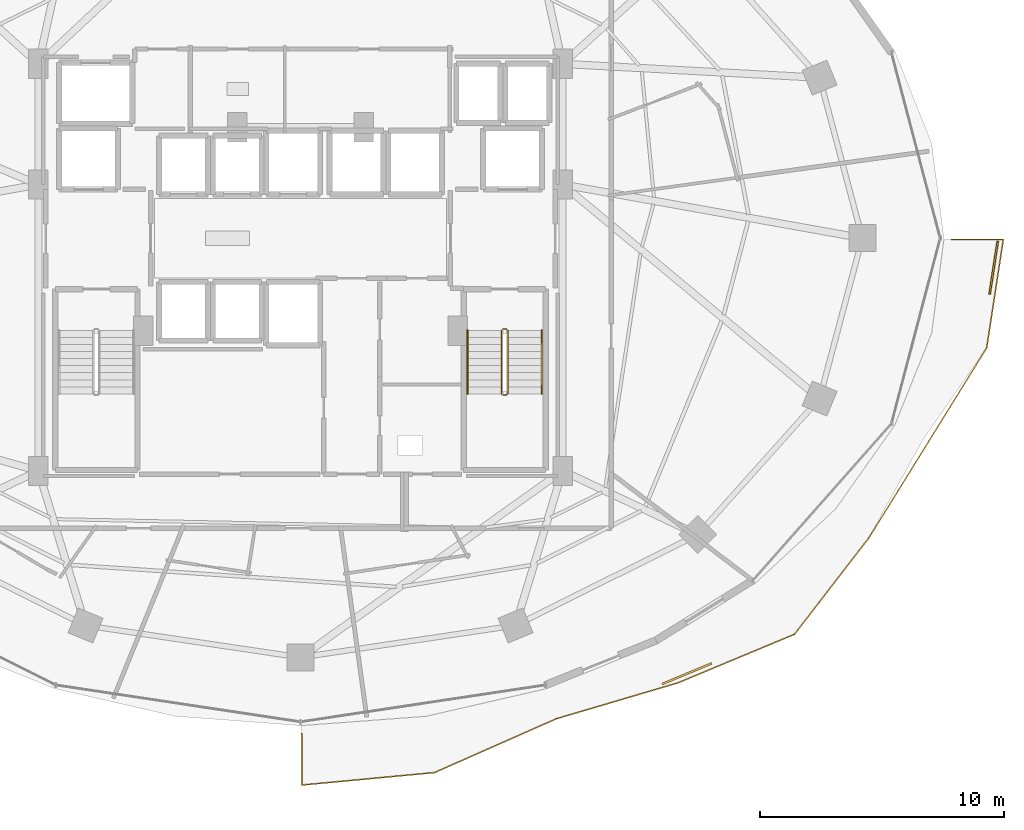
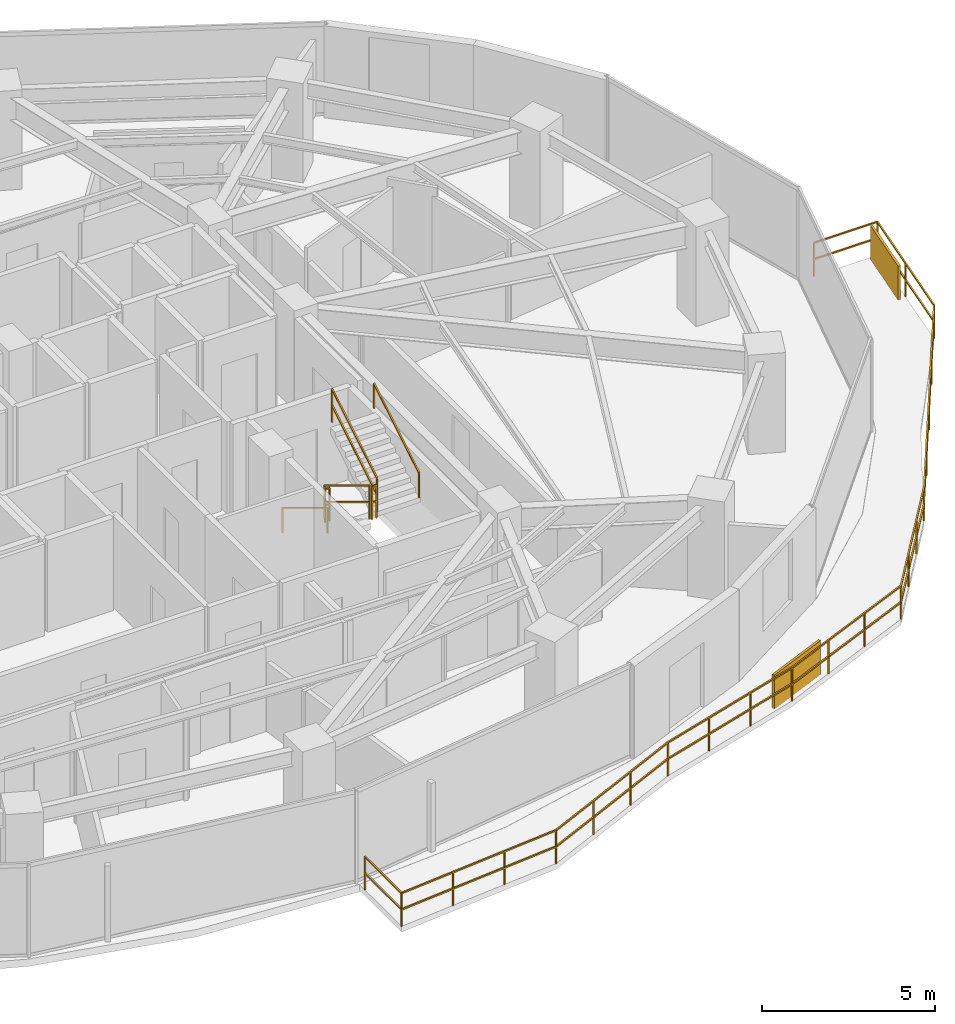
# One storey, part 28 of 30: 8 railings, 2 shading devices.
"""IFC4 building model written with IfcOpenShell, lengths in metres."""

from ifc_helpers import new_model, si_unit, direction, frame, origin, origin_2d, place, context, subcontext, project, spatial, rectangle, extrude, material, type_object, element, save


model = new_model("IFC4")

# Units and contexts
model_context = context("Model", 3, precision=1e-05, world=origin(), true_north=direction((0.0, 1.0)))
body_context = subcontext(model_context, "Body", "Model", "MODEL_VIEW")
ifc_project = project(units=[si_unit("LENGTHUNIT", "METRE"), si_unit("AREAUNIT", "SQUARE_METRE"), si_unit("VOLUMEUNIT", "CUBIC_METRE"), si_unit("PLANEANGLEUNIT", "RADIAN"), si_unit("MASSUNIT", "GRAM", prefix="KILO")], contexts=[model_context])

# Site, building, storey
site_placement = place(None, origin())
site = spatial("IfcSite", under=ifc_project, at=site_placement, CompositionType="ELEMENT")
building_placement = place(site_placement, origin())
building = spatial("IfcBuilding", under=site, at=building_placement, Name="Vorneva Point Tower", CompositionType="ELEMENT")
storey_placement = place(building_placement, frame((0.0, 0.0, 96.300048828125)))
storey = spatial("IfcBuildingStorey", under=building, at=storey_placement, Name="L25", CompositionType="ELEMENT", Elevation=96.300048828125)

# Railings
ifc_material_1 = material(Name="Pale anodised aluminium", Category="aluminium")
railing_type_1 = type_object("IfcRailingType", Name="RL-BAL-1200", PredefinedType="BALUSTRADE", material=ifc_material_1)
railing_1_placement = place(storey_placement, frame((66.155029296875, 21.504150390625, 0.0)))
element("IfcRailing", 1, at=railing_1_placement, inside=storey, type_object=railing_type_1, Name="L25 Wave Balcony Balustrade SE.1", PredefinedType="BALUSTRADE", context=body_context, shape_type="SweptSolid", body=[
    extrude(rectangle(XDim=0.048095703125, YDim=0.048095703125, at=origin_2d()), frame((0.0, 0.0, 1.17578125), z_axis=(0.151710478014, 0.988424974826, 0.0), x_axis=(-0.988424974826, 0.151710478014, 0.0)), (0.0, 0.0, 1.0), 4.497802734375),
    extrude(rectangle(XDim=0.048095703125, YDim=0.048095703125, at=origin_2d()), frame((0.0, 0.0, 0.60009765625), z_axis=(0.151710478014, 0.988424974826, 0.0), x_axis=(-0.988424974826, 0.151710478014, 0.0)), (0.0, 0.0, 1.0), 4.497802734375),
    extrude(rectangle(XDim=0.048095703125, YDim=0.048095703125, at=origin_2d()), frame((0.682373046875, 4.44580078125, 1.17578125), z_axis=(-1.0, 0.0, 0.0), x_axis=(0.0, -1.0, 0.0)), (0.0, 0.0, 1.0), 2.12109375),
    extrude(rectangle(XDim=0.048095703125, YDim=0.048095703125, at=origin_2d()), frame((0.682373046875, 4.44580078125, 0.60009765625), z_axis=(-1.0, 0.0, 0.0), x_axis=(0.0, -1.0, 0.0)), (0.0, 0.0, 1.0), 2.12109375),
    extrude(rectangle(XDim=0.0419921875, YDim=0.0419921875, at=origin_2d()), origin(), (0.0, 0.0, 1.0), 1.15185546875),
    extrude(rectangle(XDim=0.0419921875, YDim=0.0419921875, at=origin_2d()), frame((0.34130859375, 2.222900390625, 0.0)), (0.0, 0.0, 1.0), 1.15185546875),
    extrude(rectangle(XDim=0.0419921875, YDim=0.0419921875, at=origin_2d()), frame((0.682373046875, 4.44580078125, 0.0)), (0.0, 0.0, 1.0), 1.15185546875),
    extrude(rectangle(XDim=0.0419921875, YDim=0.0419921875, at=origin_2d()), frame((-1.438720703125, 4.44580078125, 0.0)), (0.0, 0.0, 1.0), 1.15185546875),
])
railing_2_placement = place(storey_placement, frame((38.050048828125, 5.682861328125, 0.0)))
element("IfcRailing", 2, at=railing_2_placement, inside=storey, type_object=railing_type_1, Name="L25 Wave Balcony Balustrade SE.2", PredefinedType="BALUSTRADE", context=body_context, shape_type="SweptSolid", body=[
    extrude(rectangle(XDim=0.048095703125, YDim=0.048095703125, at=origin_2d()), frame((0.0, 0.0, 1.17578125), z_axis=(0.0, -1.0, 0.0), x_axis=(1.0, 0.0, 0.0)), (0.0, 0.0, 1.0), 2.123046875),
    extrude(rectangle(XDim=0.048095703125, YDim=0.048095703125, at=origin_2d()), frame((0.0, 0.0, 0.60009765625), z_axis=(0.0, -1.0, 0.0), x_axis=(1.0, 0.0, 0.0)), (0.0, 0.0, 1.0), 2.123046875),
    extrude(rectangle(XDim=0.048095703125, YDim=0.048095703125, at=origin_2d()), frame((0.0, -2.123046875, 1.17578125), z_axis=(0.995618925053, 0.093503775738, 0.0), x_axis=(-0.093503775738, 0.995618925053, 0.0)), (0.0, 0.0, 1.0), 5.47265625),
    extrude(rectangle(XDim=0.048095703125, YDim=0.048095703125, at=origin_2d()), frame((0.0, -2.123046875, 0.60009765625), z_axis=(0.995618925053, 0.093503775738, 0.0), x_axis=(-0.093503775738, 0.995618925053, 0.0)), (0.0, 0.0, 1.0), 5.47265625),
    extrude(rectangle(XDim=0.048095703125, YDim=0.048095703125, at=origin_2d()), frame((5.44873046875, -1.611328125, 1.17578125), z_axis=(0.914655849892, 0.404233442776, 0.0), x_axis=(-0.404233442776, 0.914655849892, 0.0)), (0.0, 0.0, 1.0), 5.46044921875),
    extrude(rectangle(XDim=0.048095703125, YDim=0.048095703125, at=origin_2d()), frame((5.44873046875, -1.611328125, 0.60009765625), z_axis=(0.914655849892, 0.404233442776, 0.0), x_axis=(-0.404233442776, 0.914655849892, 0.0)), (0.0, 0.0, 1.0), 5.46044921875),
    extrude(rectangle(XDim=0.048095703125, YDim=0.048095703125, at=origin_2d()), frame((10.443115234375, 0.595947265625, 1.17578125), z_axis=(0.959085741968, 0.283115770586, 0.0), x_axis=(-0.283115770586, 0.959085741968, 0.0)), (0.0, 0.0, 1.0), 5.205810546875),
    extrude(rectangle(XDim=0.048095703125, YDim=0.048095703125, at=origin_2d()), frame((10.443115234375, 0.595947265625, 0.60009765625), z_axis=(0.959085741968, 0.283115770586, 0.0), x_axis=(-0.283115770586, 0.959085741968, 0.0)), (0.0, 0.0, 1.0), 5.205810546875),
    extrude(rectangle(XDim=0.048095703125, YDim=0.048095703125, at=origin_2d()), frame((15.43603515625, 2.06982421875, 1.17578125), z_axis=(0.923040666996, 0.384702387659, 0.0), x_axis=(-0.384702387659, 0.923040666996, 0.0)), (0.0, 0.0, 1.0), 5.180419921875),
    extrude(rectangle(XDim=0.048095703125, YDim=0.048095703125, at=origin_2d()), frame((15.43603515625, 2.06982421875, 0.60009765625), z_axis=(0.923040666996, 0.384702387659, 0.0), x_axis=(-0.384702387659, 0.923040666996, 0.0)), (0.0, 0.0, 1.0), 5.180419921875),
    extrude(rectangle(XDim=0.048095703125, YDim=0.048095703125, at=origin_2d()), frame((20.2177734375, 4.062744140625, 1.17578125), z_axis=(0.610899143247, 0.791708429145, 0.0), x_axis=(-0.791708429145, 0.610899143247, 0.0)), (0.0, 0.0, 1.0), 4.981201171875),
    extrude(rectangle(XDim=0.048095703125, YDim=0.048095703125, at=origin_2d()), frame((20.2177734375, 4.062744140625, 0.60009765625), z_axis=(0.610899143247, 0.791708429145, 0.0), x_axis=(-0.791708429145, 0.610899143247, 0.0)), (0.0, 0.0, 1.0), 4.981201171875),
    extrude(rectangle(XDim=0.048095703125, YDim=0.048095703125, at=origin_2d()), frame((23.2607421875, 8.00634765625, 1.17578125), z_axis=(0.526859110707, 0.849952632483, 0.0), x_axis=(-0.849952632483, 0.526859110707, 0.0)), (0.0, 0.0, 1.0), 9.194580078125),
    extrude(rectangle(XDim=0.048095703125, YDim=0.048095703125, at=origin_2d()), frame((23.2607421875, 8.00634765625, 0.60009765625), z_axis=(0.526859110707, 0.849952632483, 0.0), x_axis=(-0.849952632483, 0.526859110707, 0.0)), (0.0, 0.0, 1.0), 9.194580078125),
    extrude(rectangle(XDim=0.0419921875, YDim=0.0419921875, at=origin_2d()), origin(), (0.0, 0.0, 1.0), 1.15185546875),
    extrude(rectangle(XDim=0.0419921875, YDim=0.0419921875, at=origin_2d()), frame((0.0, -2.123046875, 0.0)), (0.0, 0.0, 1.0), 1.15185546875),
    extrude(rectangle(XDim=0.0419921875, YDim=0.0419921875, at=origin_2d()), frame((1.816162109375, -1.952392578125, 0.0)), (0.0, 0.0, 1.0), 1.15185546875),
    extrude(rectangle(XDim=0.0419921875, YDim=0.0419921875, at=origin_2d()), frame((3.632568359375, -1.781982421875, 0.0)), (0.0, 0.0, 1.0), 1.15185546875),
    extrude(rectangle(XDim=0.0419921875, YDim=0.0419921875, at=origin_2d()), frame((5.44873046875, -1.611328125, 0.0)), (0.0, 0.0, 1.0), 1.15185546875),
    extrude(rectangle(XDim=0.0419921875, YDim=0.0419921875, at=origin_2d()), frame((7.113525390625, -0.87548828125, 0.0)), (0.0, 0.0, 1.0), 1.15185546875),
    extrude(rectangle(XDim=0.0419921875, YDim=0.0419921875, at=origin_2d()), frame((8.7783203125, -0.139892578125, 0.0)), (0.0, 0.0, 1.0), 1.15185546875),
    extrude(rectangle(XDim=0.0419921875, YDim=0.0419921875, at=origin_2d()), frame((10.443115234375, 0.595947265625, 0.0)), (0.0, 0.0, 1.0), 1.15185546875),
    extrude(rectangle(XDim=0.0419921875, YDim=0.0419921875, at=origin_2d()), frame((12.107421875, 1.087158203125, 0.0)), (0.0, 0.0, 1.0), 1.15185546875),
    extrude(rectangle(XDim=0.0419921875, YDim=0.0419921875, at=origin_2d()), frame((13.771728515625, 1.57861328125, 0.0)), (0.0, 0.0, 1.0), 1.15185546875),
    extrude(rectangle(XDim=0.0419921875, YDim=0.0419921875, at=origin_2d()), frame((15.43603515625, 2.06982421875, 0.0)), (0.0, 0.0, 1.0), 1.15185546875),
    extrude(rectangle(XDim=0.0419921875, YDim=0.0419921875, at=origin_2d()), frame((17.030029296875, 2.734130859375, 0.0)), (0.0, 0.0, 1.0), 1.15185546875),
    extrude(rectangle(XDim=0.0419921875, YDim=0.0419921875, at=origin_2d()), frame((18.623779296875, 3.3984375, 0.0)), (0.0, 0.0, 1.0), 1.15185546875),
    extrude(rectangle(XDim=0.0419921875, YDim=0.0419921875, at=origin_2d()), frame((20.2177734375, 4.062744140625, 0.0)), (0.0, 0.0, 1.0), 1.15185546875),
    extrude(rectangle(XDim=0.0419921875, YDim=0.0419921875, at=origin_2d()), frame((21.232177734375, 5.377197265625, 0.0)), (0.0, 0.0, 1.0), 1.15185546875),
    extrude(rectangle(XDim=0.0419921875, YDim=0.0419921875, at=origin_2d()), frame((22.246337890625, 6.69189453125, 0.0)), (0.0, 0.0, 1.0), 1.15185546875),
    extrude(rectangle(XDim=0.0419921875, YDim=0.0419921875, at=origin_2d()), frame((23.2607421875, 8.00634765625, 0.0)), (0.0, 0.0, 1.0), 1.15185546875),
    extrude(rectangle(XDim=0.0419921875, YDim=0.0419921875, at=origin_2d()), frame((24.4716796875, 9.9599609375, 0.0)), (0.0, 0.0, 1.0), 1.15185546875),
    extrude(rectangle(XDim=0.0419921875, YDim=0.0419921875, at=origin_2d()), frame((25.682861328125, 11.913818359375, 0.0)), (0.0, 0.0, 1.0), 1.15185546875),
    extrude(rectangle(XDim=0.0419921875, YDim=0.0419921875, at=origin_2d()), frame((26.89404296875, 13.86767578125, 0.0)), (0.0, 0.0, 1.0), 1.15185546875),
    extrude(rectangle(XDim=0.0419921875, YDim=0.0419921875, at=origin_2d()), frame((28.10498046875, 15.8212890625, 0.0)), (0.0, 0.0, 1.0), 1.15185546875),
])
ifc_material_2 = material(Name="Brushed stainless steel S304", Category="steel")
railing_type_2 = type_object("IfcRailingType", Name="RL-HND-920", PredefinedType="HANDRAIL", material=ifc_material_2)
railing_3_placement = place(storey_placement, frame((44.85009765625, 22.219970703125, 0.175048828125)))
element("IfcRailing", 3, at=railing_3_placement, inside=storey, type_object=railing_type_2, Name="L25 ST2 stair handrail 1", PredefinedType="HANDRAIL", context=body_context, shape_type="SweptSolid", body=[
    extrude(rectangle(XDim=0.048095703125, YDim=0.048095703125, at=origin_2d()), frame((0.0, 0.0, 0.8759765625), z_axis=(0.0, -0.85618277418, 0.516673066065), x_axis=(1.0, 0.0, 0.0)), (0.0, 0.0, 1.0), 3.04833984375),
    extrude(rectangle(XDim=0.0419921875, YDim=0.0419921875, at=origin_2d()), origin(), (0.0, 0.0, 1.0), 0.851806640625),
    extrude(rectangle(XDim=0.0419921875, YDim=0.0419921875, at=origin_2d()), frame((0.0, -2.60986328125, 1.574951171875)), (0.0, 0.0, 1.0), 0.851806640625),
])
railing_4_placement = place(storey_placement, frame((47.89990234375, 19.610107421875, 1.925048828125)))
element("IfcRailing", 4, at=railing_4_placement, inside=storey, type_object=railing_type_2, Name="L25 ST2 stair handrail 2", PredefinedType="HANDRAIL", context=body_context, shape_type="SweptSolid", body=[
    extrude(rectangle(XDim=0.048095703125, YDim=0.048095703125, at=origin_2d()), frame((0.0, 0.0, 0.8759765625), z_axis=(0.0, 0.85618277418, 0.516673066065), x_axis=(-1.0, 0.0, 0.0)), (0.0, 0.0, 1.0), 3.04833984375),
    extrude(rectangle(XDim=0.0419921875, YDim=0.0419921875, at=origin_2d()), origin(), (0.0, 0.0, 1.0), 0.851806640625),
    extrude(rectangle(XDim=0.0419921875, YDim=0.0419921875, at=origin_2d()), frame((0.0, 2.60986328125, 1.574951171875)), (0.0, 0.0, 1.0), 0.851806640625),
])
railing_type_3 = type_object("IfcRailingType", Name="RL-STG-1100", PredefinedType="GUARDRAIL", material=ifc_material_2)
railing_5_placement = place(storey_placement, frame((46.25, 22.219970703125, 0.175048828125)))
element("IfcRailing", 5, at=railing_5_placement, inside=storey, type_object=railing_type_3, Name="L25 ST2 stair guard 1", PredefinedType="GUARDRAIL", context=body_context, shape_type="SweptSolid", body=[
    extrude(rectangle(XDim=0.048095703125, YDim=0.048095703125, at=origin_2d()), frame((0.0, 0.0, 1.17578125), z_axis=(0.0, -0.85618277418, 0.516673066065), x_axis=(1.0, 0.0, 0.0)), (0.0, 0.0, 1.0), 3.04833984375),
    extrude(rectangle(XDim=0.048095703125, YDim=0.048095703125, at=origin_2d()), frame((0.0, 0.0, 0.60009765625), z_axis=(0.0, -0.85618277418, 0.516673066065), x_axis=(1.0, 0.0, 0.0)), (0.0, 0.0, 1.0), 3.04833984375),
    extrude(rectangle(XDim=0.0419921875, YDim=0.0419921875, at=origin_2d()), origin(), (0.0, 0.0, 1.0), 1.15185546875),
    extrude(rectangle(XDim=0.0419921875, YDim=0.0419921875, at=origin_2d()), frame((0.0, -2.60986328125, 1.574951171875)), (0.0, 0.0, 1.0), 1.15185546875),
])
railing_6_placement = place(storey_placement, frame((46.300048828125, 19.56005859375, 1.75)))
element("IfcRailing", 6, at=railing_6_placement, inside=storey, type_object=railing_type_3, Name="L25 ST2 stair guard 2", PredefinedType="GUARDRAIL", context=body_context, shape_type="SweptSolid", body=[
    extrude(rectangle(XDim=0.048095703125, YDim=0.048095703125, at=origin_2d()), frame((0.0, 0.0, 1.17578125), z_axis=(1.0, 0.0, 0.0), x_axis=(0.0, 1.0, 0.0)), (0.0, 0.0, 1.0), 0.14990234375),
    extrude(rectangle(XDim=0.048095703125, YDim=0.048095703125, at=origin_2d()), frame((0.0, 0.0, 0.60009765625), z_axis=(1.0, 0.0, 0.0), x_axis=(0.0, 1.0, 0.0)), (0.0, 0.0, 1.0), 0.14990234375),
    extrude(rectangle(XDim=0.0419921875, YDim=0.0419921875, at=origin_2d()), origin(), (0.0, 0.0, 1.0), 1.15185546875),
    extrude(rectangle(XDim=0.0419921875, YDim=0.0419921875, at=origin_2d()), frame((0.14990234375, 0.0, 0.0)), (0.0, 0.0, 1.0), 1.15185546875),
])
railing_7_placement = place(storey_placement, frame((46.5, 19.610107421875, 1.925048828125)))
element("IfcRailing", 7, at=railing_7_placement, inside=storey, type_object=railing_type_3, Name="L25 ST2 stair guard 3", PredefinedType="GUARDRAIL", context=body_context, shape_type="SweptSolid", body=[
    extrude(rectangle(XDim=0.048095703125, YDim=0.048095703125, at=origin_2d()), frame((0.0, 0.0, 1.17578125), z_axis=(0.0, 0.85618277418, 0.516673066065), x_axis=(-1.0, 0.0, 0.0)), (0.0, 0.0, 1.0), 3.04833984375),
    extrude(rectangle(XDim=0.048095703125, YDim=0.048095703125, at=origin_2d()), frame((0.0, 0.0, 0.60009765625), z_axis=(0.0, 0.85618277418, 0.516673066065), x_axis=(-1.0, 0.0, 0.0)), (0.0, 0.0, 1.0), 3.04833984375),
    extrude(rectangle(XDim=0.0419921875, YDim=0.0419921875, at=origin_2d()), origin(), (0.0, 0.0, 1.0), 1.15185546875),
    extrude(rectangle(XDim=0.0419921875, YDim=0.0419921875, at=origin_2d()), frame((0.0, 2.60986328125, 1.574951171875)), (0.0, 0.0, 1.0), 1.15185546875),
])
railing_8_placement = place(storey_placement, frame((46.300048828125, 22.27001953125, 0.0)))
element("IfcRailing", 8, at=railing_8_placement, inside=storey, type_object=railing_type_3, Name="L25 ST2 stair guard 4", PredefinedType="GUARDRAIL", context=body_context, shape_type="SweptSolid", body=[
    extrude(rectangle(XDim=0.048095703125, YDim=0.048095703125, at=origin_2d()), frame((0.0, 0.0, 1.17578125), z_axis=(1.0, 0.0, 0.0), x_axis=(0.0, 1.0, 0.0)), (0.0, 0.0, 1.0), 0.14990234375),
    extrude(rectangle(XDim=0.048095703125, YDim=0.048095703125, at=origin_2d()), frame((0.0, 0.0, 0.60009765625), z_axis=(1.0, 0.0, 0.0), x_axis=(0.0, 1.0, 0.0)), (0.0, 0.0, 1.0), 0.14990234375),
    extrude(rectangle(XDim=0.0419921875, YDim=0.0419921875, at=origin_2d()), origin(), (0.0, 0.0, 1.0), 1.15185546875),
    extrude(rectangle(XDim=0.0419921875, YDim=0.0419921875, at=origin_2d()), frame((0.14990234375, 0.0, 0.0)), (0.0, 0.0, 1.0), 1.15185546875),
])

# Shading devices
shading_device_type = type_object("IfcShadingDeviceType", Name="SHD-JAL-1200", PredefinedType="JALOUSIE", material=ifc_material_1)
for number, where, z_axis, x_axis, name in (
    (9, (66.437255859375, 24.784912109375, -0.02001953125), (0.0, 0.0, 1.0), (0.151692117659, 0.98842779273, 0.0), "L25 Balcony Vertical-Greenery Planter Screen SE.1"),
    (10, (53.8505859375, 8.1298828125, -0.02001953125), (0.0, 0.0, 1.0), (0.923042448768, 0.384698112514, 0.0), "L25 Balcony Vertical-Greenery Planter Screen SE.2"),
):
    element("IfcShadingDevice", number, at=place(storey_placement, frame(where, z_axis=z_axis, x_axis=x_axis)), inside=storey, type_object=shading_device_type, Name=name, PredefinedType="JALOUSIE", context=body_context, shape_type="SweptSolid", body=[
        extrude(rectangle(XDim=2.199951171875, YDim=0.080078125, at=origin_2d()), origin(), (0.0, 0.0, 1.0), 1.199951171875),
    ])

save(model, "model.ifc")
